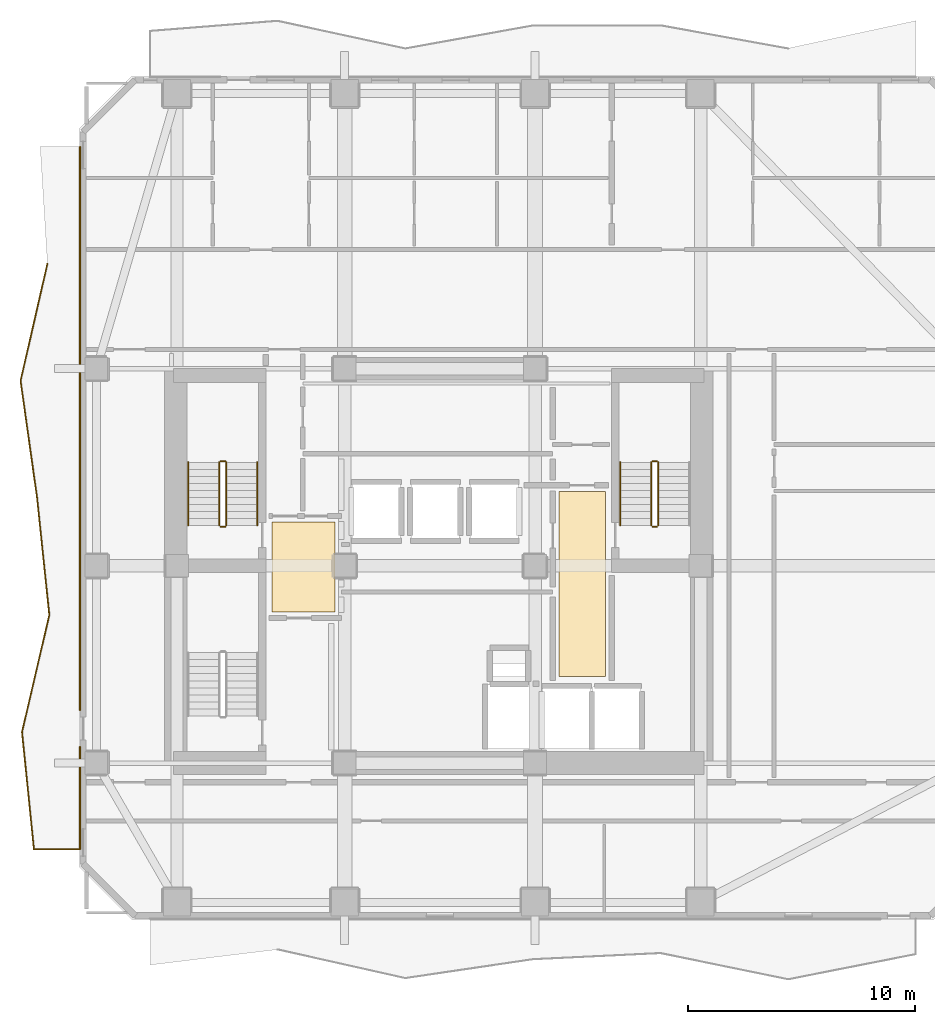
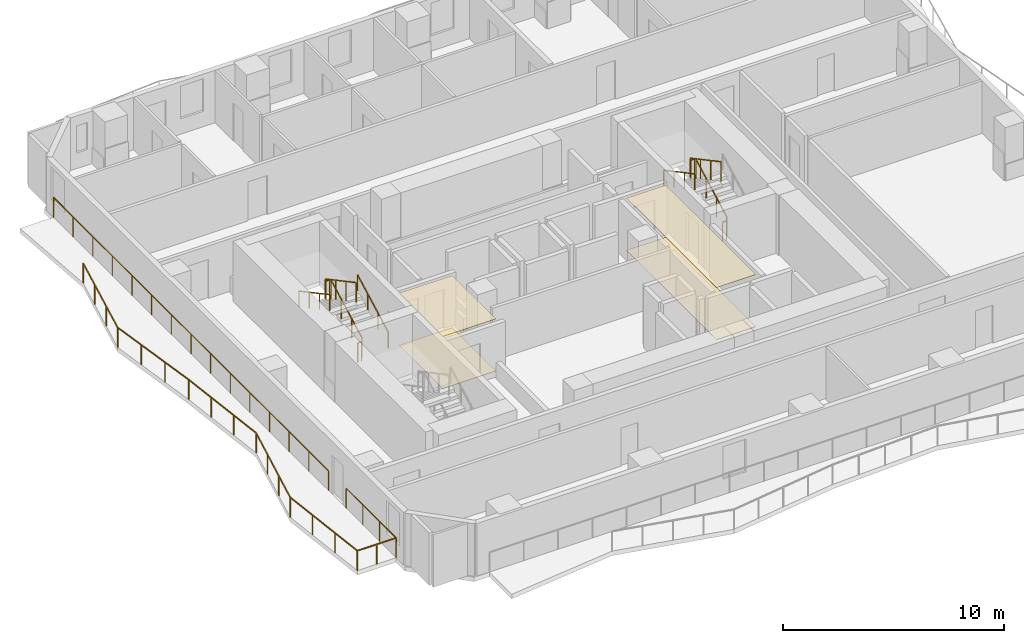
# One storey, part 8 of 9: 13 railings, 4 coverings.
"""IFC4 building model written with IfcOpenShell, lengths in metres."""

from ifc_helpers import new_model, si_unit, direction, frame, origin, origin_2d, place, context, subcontext, project, spatial, polyline, rectangle, outline, extrude, material, layer, layer_set, type_object, element, save


model = new_model("IFC4")

# Units and contexts
model_context = context("Model", 3, precision=1e-05, world=origin(), true_north=direction((0.0, 1.0)))
body_context = subcontext(model_context, "Body", "Model", "MODEL_VIEW")
ifc_project = project(units=[si_unit("LENGTHUNIT", "METRE"), si_unit("AREAUNIT", "SQUARE_METRE"), si_unit("VOLUMEUNIT", "CUBIC_METRE"), si_unit("PLANEANGLEUNIT", "RADIAN"), si_unit("MASSUNIT", "GRAM", prefix="KILO")], contexts=[model_context])

# Site, building, storey
site_placement = place(None, origin())
site = spatial("IfcSite", under=ifc_project, at=site_placement, CompositionType="ELEMENT")
building_placement = place(site_placement, origin())
building = spatial("IfcBuilding", under=site, at=building_placement, Name="Solanera Arch Residences", CompositionType="ELEMENT")
storey_placement = place(building_placement, frame((0.0, 0.0, 162.52001953125)))
storey = spatial("IfcBuildingStorey", under=building, at=storey_placement, Name="L47", CompositionType="ELEMENT", Elevation=162.52001953125)

# Railings
ifc_material_1 = material(Name="Steel S355 (ASTM A992 / A572 Grade 50)", Category="steel")
railing_type_1 = type_object("IfcRailingType", Name="Balustrade Railing BL-1100", PredefinedType="BALUSTRADE", material=ifc_material_1)
railing_1_placement = place(storey_placement, frame((7.680908203125, 44.032958984375, 0.0)))
element("IfcRailing", 1, at=railing_1_placement, inside=storey, type_object=railing_type_1, Name="L47 W Balcony Balustrade 1", PredefinedType="BALUSTRADE", context=body_context, shape_type="SweptSolid", body=[
    extrude(rectangle(XDim=0.048095703125, YDim=0.048095703125, at=origin_2d()), frame((0.0, 0.0, 1.09619140625), z_axis=(-0.223368861917, -0.974733990136, 0.0), x_axis=(0.974733990136, -0.223368861917, 0.0)), (0.0, 0.0, 1.0), 5.2998046875),
    extrude(rectangle(XDim=0.048095703125, YDim=0.048095703125, at=origin_2d()), frame((-1.183837890625, -5.166015625, 1.09619140625), z_axis=(0.139521507278, -0.990219040923, 0.0), x_axis=(0.990219040923, 0.139521507278, 0.0)), (0.0, 0.0, 1.0), 5.218017578125),
    extrude(rectangle(XDim=0.048095703125, YDim=0.048095703125, at=origin_2d()), frame((-0.455810546875, -10.3330078125, 1.09619140625), z_axis=(0.103904389466, -0.994587290211, 0.0), x_axis=(0.994587290211, 0.103904389466, 0.0)), (0.0, 0.0, 1.0), 5.195068359375),
    extrude(rectangle(XDim=0.048095703125, YDim=0.048095703125, at=origin_2d()), frame((0.083984375, -15.5, 1.09619140625), z_axis=(-0.227127770196, -0.973864968055, 0.0), x_axis=(0.973864968055, -0.227127770196, 0.0)), (0.0, 0.0, 1.0), 5.3046875),
    extrude(rectangle(XDim=0.048095703125, YDim=0.048095703125, at=origin_2d()), frame((-1.120849609375, -20.666015625, 1.09619140625), z_axis=(0.101253536628, -0.994860654223, 0.0), x_axis=(0.994860654223, 0.101253536628, 0.0)), (0.0, 0.0, 1.0), 5.193603515625),
    extrude(rectangle(XDim=0.048095703125, YDim=0.048095703125, at=origin_2d()), frame((-0.594970703125, -25.8330078125, 1.09619140625), z_axis=(1.0, 0.0, 0.0), x_axis=(0.0, 1.0, 0.0)), (0.0, 0.0, 1.0), 2.0341796875),
    extrude(rectangle(XDim=0.048095703125, YDim=0.048095703125, at=origin_2d()), frame((1.439208984375, -25.8330078125, 1.09619140625), z_axis=(0.0, 1.0, 0.0), x_axis=(-1.0, 0.0, 0.0)), (0.0, 0.0, 1.0), 4.52197265625),
    extrude(rectangle(XDim=0.0419921875, YDim=0.0419921875, at=origin_2d()), origin(), (0.0, 0.0, 1.0), 1.072021484375),
    extrude(rectangle(XDim=0.0419921875, YDim=0.0419921875, at=origin_2d()), frame((-0.39453125, -1.721923828125, 0.0)), (0.0, 0.0, 1.0), 1.072021484375),
    extrude(rectangle(XDim=0.0419921875, YDim=0.0419921875, at=origin_2d()), frame((-0.789306640625, -3.444091796875, 0.0)), (0.0, 0.0, 1.0), 1.072021484375),
    extrude(rectangle(XDim=0.0419921875, YDim=0.0419921875, at=origin_2d()), frame((-1.183837890625, -5.166015625, 0.0)), (0.0, 0.0, 1.0), 1.072021484375),
    extrude(rectangle(XDim=0.0419921875, YDim=0.0419921875, at=origin_2d()), frame((-0.941162109375, -6.888427734375, 0.0)), (0.0, 0.0, 1.0), 1.072021484375),
    extrude(rectangle(XDim=0.0419921875, YDim=0.0419921875, at=origin_2d()), frame((-0.698486328125, -8.610595703125, 0.0)), (0.0, 0.0, 1.0), 1.072021484375),
    extrude(rectangle(XDim=0.0419921875, YDim=0.0419921875, at=origin_2d()), frame((-0.455810546875, -10.3330078125, 0.0)), (0.0, 0.0, 1.0), 1.072021484375),
    extrude(rectangle(XDim=0.0419921875, YDim=0.0419921875, at=origin_2d()), frame((-0.27587890625, -12.055419921875, 0.0)), (0.0, 0.0, 1.0), 1.072021484375),
    extrude(rectangle(XDim=0.0419921875, YDim=0.0419921875, at=origin_2d()), frame((-0.095947265625, -13.777587890625, 0.0)), (0.0, 0.0, 1.0), 1.072021484375),
    extrude(rectangle(XDim=0.0419921875, YDim=0.0419921875, at=origin_2d()), frame((0.083984375, -15.5, 0.0)), (0.0, 0.0, 1.0), 1.072021484375),
    extrude(rectangle(XDim=0.0419921875, YDim=0.0419921875, at=origin_2d()), frame((-0.317626953125, -17.221923828125, 0.0)), (0.0, 0.0, 1.0), 1.072021484375),
    extrude(rectangle(XDim=0.0419921875, YDim=0.0419921875, at=origin_2d()), frame((-0.71923828125, -18.944091796875, 0.0)), (0.0, 0.0, 1.0), 1.072021484375),
    extrude(rectangle(XDim=0.0419921875, YDim=0.0419921875, at=origin_2d()), frame((-1.120849609375, -20.666015625, 0.0)), (0.0, 0.0, 1.0), 1.072021484375),
    extrude(rectangle(XDim=0.0419921875, YDim=0.0419921875, at=origin_2d()), frame((-0.945556640625, -22.388427734375, 0.0)), (0.0, 0.0, 1.0), 1.072021484375),
    extrude(rectangle(XDim=0.0419921875, YDim=0.0419921875, at=origin_2d()), frame((-0.770263671875, -24.110595703125, 0.0)), (0.0, 0.0, 1.0), 1.072021484375),
    extrude(rectangle(XDim=0.0419921875, YDim=0.0419921875, at=origin_2d()), frame((-0.594970703125, -25.8330078125, 0.0)), (0.0, 0.0, 1.0), 1.072021484375),
    extrude(rectangle(XDim=0.0419921875, YDim=0.0419921875, at=origin_2d()), frame((0.422119140625, -25.8330078125, 0.0)), (0.0, 0.0, 1.0), 1.072021484375),
    extrude(rectangle(XDim=0.0419921875, YDim=0.0419921875, at=origin_2d()), frame((1.439208984375, -25.8330078125, 0.0)), (0.0, 0.0, 1.0), 1.072021484375),
    extrude(rectangle(XDim=0.0419921875, YDim=0.0419921875, at=origin_2d()), frame((1.439208984375, -24.32568359375, 0.0)), (0.0, 0.0, 1.0), 1.072021484375),
    extrude(rectangle(XDim=0.0419921875, YDim=0.0419921875, at=origin_2d()), frame((1.439208984375, -22.818359375, 0.0)), (0.0, 0.0, 1.0), 1.072021484375),
    extrude(rectangle(XDim=0.0419921875, YDim=0.0419921875, at=origin_2d()), frame((1.439208984375, -21.31103515625, 0.0)), (0.0, 0.0, 1.0), 1.072021484375),
])
railing_2_placement = place(storey_placement, frame((9.1201171875, 24.322021484375, 0.0)))
element("IfcRailing", 2, at=railing_2_placement, inside=storey, type_object=railing_type_1, Name="L47 W Balcony Balustrade 2", PredefinedType="BALUSTRADE", context=body_context, shape_type="SweptSolid", body=[
    extrude(rectangle(XDim=0.048095703125, YDim=0.048095703125, at=origin_2d()), frame((0.0, 0.0, 1.09619140625), z_axis=(0.0, 1.0, 0.0), x_axis=(-1.0, 0.0, 0.0)), (0.0, 0.0, 1.0), 24.8779296875),
    extrude(rectangle(XDim=0.0419921875, YDim=0.0419921875, at=origin_2d()), origin(), (0.0, 0.0, 1.0), 1.072021484375),
    extrude(rectangle(XDim=0.0419921875, YDim=0.0419921875, at=origin_2d()), frame((0.0, 1.777099609375, 0.0)), (0.0, 0.0, 1.0), 1.072021484375),
    extrude(rectangle(XDim=0.0419921875, YDim=0.0419921875, at=origin_2d()), frame((0.0, 3.553955078125, 0.0)), (0.0, 0.0, 1.0), 1.072021484375),
    extrude(rectangle(XDim=0.0419921875, YDim=0.0419921875, at=origin_2d()), frame((0.0, 5.3310546875, 0.0)), (0.0, 0.0, 1.0), 1.072021484375),
    extrude(rectangle(XDim=0.0419921875, YDim=0.0419921875, at=origin_2d()), frame((0.0, 7.10791015625, 0.0)), (0.0, 0.0, 1.0), 1.072021484375),
    extrude(rectangle(XDim=0.0419921875, YDim=0.0419921875, at=origin_2d()), frame((0.0, 8.885009765625, 0.0)), (0.0, 0.0, 1.0), 1.072021484375),
    extrude(rectangle(XDim=0.0419921875, YDim=0.0419921875, at=origin_2d()), frame((0.0, 10.661865234375, 0.0)), (0.0, 0.0, 1.0), 1.072021484375),
    extrude(rectangle(XDim=0.0419921875, YDim=0.0419921875, at=origin_2d()), frame((0.0, 12.43896484375, 0.0)), (0.0, 0.0, 1.0), 1.072021484375),
    extrude(rectangle(XDim=0.0419921875, YDim=0.0419921875, at=origin_2d()), frame((0.0, 14.216064453125, 0.0)), (0.0, 0.0, 1.0), 1.072021484375),
    extrude(rectangle(XDim=0.0419921875, YDim=0.0419921875, at=origin_2d()), frame((0.0, 15.992919921875, 0.0)), (0.0, 0.0, 1.0), 1.072021484375),
    extrude(rectangle(XDim=0.0419921875, YDim=0.0419921875, at=origin_2d()), frame((0.0, 17.77001953125, 0.0)), (0.0, 0.0, 1.0), 1.072021484375),
    extrude(rectangle(XDim=0.0419921875, YDim=0.0419921875, at=origin_2d()), frame((0.0, 19.546875, 0.0)), (0.0, 0.0, 1.0), 1.072021484375),
    extrude(rectangle(XDim=0.0419921875, YDim=0.0419921875, at=origin_2d()), frame((0.0, 21.323974609375, 0.0)), (0.0, 0.0, 1.0), 1.072021484375),
    extrude(rectangle(XDim=0.0419921875, YDim=0.0419921875, at=origin_2d()), frame((0.0, 23.100830078125, 0.0)), (0.0, 0.0, 1.0), 1.072021484375),
    extrude(rectangle(XDim=0.0419921875, YDim=0.0419921875, at=origin_2d()), frame((0.0, 24.8779296875, 0.0)), (0.0, 0.0, 1.0), 1.072021484375),
])

# Coverings
ifc_material_2 = material(Name="Porcelain Acoustic Floor Tile", Category="ceramic")
ifc_layer_1 = layer(ifc_material_2, 0.02001953125)
ifc_layer_set_1 = layer_set([ifc_layer_1], Name="Porcelain Acoustic Floor Tile")
covering_type_1 = type_object("IfcCoveringType", Name="Porcelain Acoustic Floor Finish FLR-20", PredefinedType="FLOORING", material=ifc_layer_set_1)
covering_1_placement = place(storey_placement, origin())
element("IfcCovering", 3, at=covering_1_placement, inside=storey, type_object=covering_type_1, Name="L47-FFL-W Porcelain Floor Finish", PredefinedType="FLOORING", context=body_context, shape_type="SweptSolid", body=[
    extrude(outline(polyline([(20.375, 28.675048828125), (17.594970703125, 28.675048828125), (17.594970703125, 32.625), (20.375, 32.625), (20.375, 28.675048828125)])), origin(), (0.0, 0.0, 1.0), 0.02001953125),
])
covering_2_placement = place(storey_placement, origin())
element("IfcCovering", 4, at=covering_2_placement, inside=storey, type_object=covering_type_1, Name="L47-FFL-E Porcelain Floor Finish", PredefinedType="FLOORING", context=body_context, shape_type="SweptSolid", body=[
    extrude(outline(polyline([(32.304931640625, 25.824951171875), (30.25, 25.824951171875), (30.25, 33.97509765625), (32.304931640625, 33.97509765625), (32.304931640625, 25.824951171875)])), origin(), (0.0, 0.0, 1.0), 0.02001953125),
])

# Railings
ifc_material_3 = material(Name="Steel S355 (ASTM A992 / A572 Grade 50)", Category="steel")
railing_type_2 = type_object("IfcRailingType", Name="Stair Guardrail GR-1100", PredefinedType="GUARDRAIL", material=ifc_material_3)
railing_3_placement = place(storey_placement, frame((15.570068359375, 32.47998046875, 0.15087890625)))
element("IfcRailing", 5, at=railing_3_placement, inside=storey, type_object=railing_type_2, Name="L47 ST-T1 stair guard 1", PredefinedType="GUARDRAIL", context=body_context, shape_type="SweptSolid", body=[
    extrude(rectangle(XDim=0.048095703125, YDim=0.048095703125, at=origin_2d()), frame((0.0, 0.0, 1.076171875), z_axis=(0.0, 0.881548766853, 0.472092969298), x_axis=(-1.0, 0.0, 0.0)), (0.0, 0.0, 1.0), 3.1650390625),
    extrude(rectangle(XDim=0.0419921875, YDim=0.0419921875, at=origin_2d()), origin(), (0.0, 0.0, 1.0), 1.052001953125),
    extrude(rectangle(XDim=0.0419921875, YDim=0.0419921875, at=origin_2d()), frame((0.0, 0.929931640625, 0.498046875)), (0.0, 0.0, 1.0), 1.052001953125),
    extrude(rectangle(XDim=0.0419921875, YDim=0.0419921875, at=origin_2d()), frame((0.0, 1.860107421875, 0.99609375)), (0.0, 0.0, 1.0), 1.052001953125),
    extrude(rectangle(XDim=0.0419921875, YDim=0.0419921875, at=origin_2d()), frame((0.0, 2.7900390625, 1.494140625)), (0.0, 0.0, 1.0), 1.052001953125),
])
railing_4_placement = place(storey_placement, frame((15.52001953125, 35.320068359375, 1.64501953125)))
element("IfcRailing", 6, at=railing_4_placement, inside=storey, type_object=railing_type_2, Name="L47 ST-T1 stair guard 2", PredefinedType="GUARDRAIL", context=body_context, shape_type="SweptSolid", body=[
    extrude(rectangle(XDim=0.048095703125, YDim=0.048095703125, at=origin_2d()), frame((0.0, 0.0, 1.076171875), z_axis=(-1.0, 0.0, 0.0), x_axis=(0.0, -1.0, 0.0)), (0.0, 0.0, 1.0), 0.199951171875),
    extrude(rectangle(XDim=0.0419921875, YDim=0.0419921875, at=origin_2d()), origin(), (0.0, 0.0, 1.0), 1.052001953125),
    extrude(rectangle(XDim=0.0419921875, YDim=0.0419921875, at=origin_2d()), frame((-0.199951171875, 0.0, 0.0)), (0.0, 0.0, 1.0), 1.052001953125),
])
railing_5_placement = place(storey_placement, frame((15.27001953125, 35.27001953125, 1.81103515625)))
element("IfcRailing", 7, at=railing_5_placement, inside=storey, type_object=railing_type_2, Name="L47 ST-T1 stair guard 3", PredefinedType="GUARDRAIL", context=body_context, shape_type="SweptSolid", body=[
    extrude(rectangle(XDim=0.048095703125, YDim=0.048095703125, at=origin_2d()), frame((0.0, 0.0, 1.076171875), z_axis=(0.0, -0.881580869306, 0.472033018838), x_axis=(1.0, 0.0, 0.0)), (0.0, 0.0, 1.0), 3.164794921875),
    extrude(rectangle(XDim=0.0419921875, YDim=0.0419921875, at=origin_2d()), origin(), (0.0, 0.0, 1.0), 1.052001953125),
    extrude(rectangle(XDim=0.0419921875, YDim=0.0419921875, at=origin_2d()), frame((0.0, -0.929931640625, 0.498046875)), (0.0, 0.0, 1.0), 1.052001953125),
    extrude(rectangle(XDim=0.0419921875, YDim=0.0419921875, at=origin_2d()), frame((0.0, -1.860107421875, 0.995849609375)), (0.0, 0.0, 1.0), 1.052001953125),
    extrude(rectangle(XDim=0.0419921875, YDim=0.0419921875, at=origin_2d()), frame((0.0, -2.7900390625, 1.493896484375)), (0.0, 0.0, 1.0), 1.052001953125),
])
railing_6_placement = place(storey_placement, frame((15.52001953125, 32.429931640625, -0.01513671875)))
element("IfcRailing", 8, at=railing_6_placement, inside=storey, type_object=railing_type_2, Name="L47 ST-T1 stair guard 4", PredefinedType="GUARDRAIL", context=body_context, shape_type="SweptSolid", body=[
    extrude(rectangle(XDim=0.048095703125, YDim=0.048095703125, at=origin_2d()), frame((0.0, 0.0, 1.076171875), z_axis=(-1.0, 0.0, 0.0), x_axis=(0.0, -1.0, 0.0)), (0.0, 0.0, 1.0), 0.199951171875),
    extrude(rectangle(XDim=0.0419921875, YDim=0.0419921875, at=origin_2d()), origin(), (0.0, 0.0, 1.0), 1.052001953125),
    extrude(rectangle(XDim=0.0419921875, YDim=0.0419921875, at=origin_2d()), frame((-0.199951171875, 0.0, 0.0)), (0.0, 0.0, 1.0), 1.052001953125),
])
railing_7_placement = place(storey_placement, frame((34.6298828125, 32.47998046875, 0.15087890625)))
element("IfcRailing", 9, at=railing_7_placement, inside=storey, type_object=railing_type_2, Name="L47 ST-T2 stair guard 1", PredefinedType="GUARDRAIL", context=body_context, shape_type="SweptSolid", body=[
    extrude(rectangle(XDim=0.048095703125, YDim=0.048095703125, at=origin_2d()), frame((0.0, 0.0, 1.076171875), z_axis=(0.0, 0.881548766853, 0.472092969298), x_axis=(-1.0, 0.0, 0.0)), (0.0, 0.0, 1.0), 3.1650390625),
    extrude(rectangle(XDim=0.0419921875, YDim=0.0419921875, at=origin_2d()), origin(), (0.0, 0.0, 1.0), 1.052001953125),
    extrude(rectangle(XDim=0.0419921875, YDim=0.0419921875, at=origin_2d()), frame((0.0, 0.929931640625, 0.498046875)), (0.0, 0.0, 1.0), 1.052001953125),
    extrude(rectangle(XDim=0.0419921875, YDim=0.0419921875, at=origin_2d()), frame((0.0, 1.860107421875, 0.99609375)), (0.0, 0.0, 1.0), 1.052001953125),
    extrude(rectangle(XDim=0.0419921875, YDim=0.0419921875, at=origin_2d()), frame((0.0, 2.7900390625, 1.494140625)), (0.0, 0.0, 1.0), 1.052001953125),
])
railing_8_placement = place(storey_placement, frame((34.580078125, 35.320068359375, 1.64501953125)))
element("IfcRailing", 10, at=railing_8_placement, inside=storey, type_object=railing_type_2, Name="L47 ST-T2 stair guard 2", PredefinedType="GUARDRAIL", context=body_context, shape_type="SweptSolid", body=[
    extrude(rectangle(XDim=0.048095703125, YDim=0.048095703125, at=origin_2d()), frame((0.0, 0.0, 1.076171875), z_axis=(-1.0, 0.0, 0.0), x_axis=(0.0, -1.0, 0.0)), (0.0, 0.0, 1.0), 0.2001953125),
    extrude(rectangle(XDim=0.0419921875, YDim=0.0419921875, at=origin_2d()), origin(), (0.0, 0.0, 1.0), 1.052001953125),
    extrude(rectangle(XDim=0.0419921875, YDim=0.0419921875, at=origin_2d()), frame((-0.2001953125, 0.0, 0.0)), (0.0, 0.0, 1.0), 1.052001953125),
])
railing_9_placement = place(storey_placement, frame((34.330078125, 35.27001953125, 1.81103515625)))
element("IfcRailing", 11, at=railing_9_placement, inside=storey, type_object=railing_type_2, Name="L47 ST-T2 stair guard 3", PredefinedType="GUARDRAIL", context=body_context, shape_type="SweptSolid", body=[
    extrude(rectangle(XDim=0.048095703125, YDim=0.048095703125, at=origin_2d()), frame((0.0, 0.0, 1.076171875), z_axis=(0.0, -0.881580869306, 0.472033018838), x_axis=(1.0, 0.0, 0.0)), (0.0, 0.0, 1.0), 3.164794921875),
    extrude(rectangle(XDim=0.0419921875, YDim=0.0419921875, at=origin_2d()), origin(), (0.0, 0.0, 1.0), 1.052001953125),
    extrude(rectangle(XDim=0.0419921875, YDim=0.0419921875, at=origin_2d()), frame((0.0, -0.929931640625, 0.498046875)), (0.0, 0.0, 1.0), 1.052001953125),
    extrude(rectangle(XDim=0.0419921875, YDim=0.0419921875, at=origin_2d()), frame((0.0, -1.860107421875, 0.995849609375)), (0.0, 0.0, 1.0), 1.052001953125),
    extrude(rectangle(XDim=0.0419921875, YDim=0.0419921875, at=origin_2d()), frame((0.0, -2.7900390625, 1.493896484375)), (0.0, 0.0, 1.0), 1.052001953125),
])
railing_10_placement = place(storey_placement, frame((34.580078125, 32.429931640625, -0.01513671875)))
element("IfcRailing", 12, at=railing_10_placement, inside=storey, type_object=railing_type_2, Name="L47 ST-T2 stair guard 4", PredefinedType="GUARDRAIL", context=body_context, shape_type="SweptSolid", body=[
    extrude(rectangle(XDim=0.048095703125, YDim=0.048095703125, at=origin_2d()), frame((0.0, 0.0, 1.076171875), z_axis=(-1.0, 0.0, 0.0), x_axis=(0.0, -1.0, 0.0)), (0.0, 0.0, 1.0), 0.2001953125),
    extrude(rectangle(XDim=0.0419921875, YDim=0.0419921875, at=origin_2d()), origin(), (0.0, 0.0, 1.0), 1.052001953125),
    extrude(rectangle(XDim=0.0419921875, YDim=0.0419921875, at=origin_2d()), frame((-0.2001953125, 0.0, 0.0)), (0.0, 0.0, 1.0), 1.052001953125),
])
ifc_material_4 = material(Name="Steel S355 (ASTM A992 / A572 Grade 50)", Category="steel")
railing_type_3 = type_object("IfcRailingType", Name="Stair Wall Handrail HR-920", PredefinedType="HANDRAIL", material=ifc_material_4)
railing_11_placement = place(storey_placement, frame((16.949951171875, 32.47998046875, 0.166015625)))
element("IfcRailing", 13, at=railing_11_placement, inside=storey, type_object=railing_type_3, Name="L47 ST-T1 stair handrail 1", PredefinedType="HANDRAIL", context=body_context, shape_type="SweptSolid", body=[
    extrude(rectangle(XDim=0.048095703125, YDim=0.048095703125, at=origin_2d()), frame((0.0, 0.0, 0.8759765625), z_axis=(0.0, 0.881580869306, 0.472033018838), x_axis=(-1.0, 0.0, 0.0)), (0.0, 0.0, 1.0), 3.164794921875),
    extrude(rectangle(XDim=0.0419921875, YDim=0.0419921875, at=origin_2d()), origin(), (0.0, 0.0, 1.0), 0.851806640625),
    extrude(rectangle(XDim=0.0419921875, YDim=0.0419921875, at=origin_2d()), frame((0.0, 0.929931640625, 0.498046875)), (0.0, 0.0, 1.0), 0.851806640625),
    extrude(rectangle(XDim=0.0419921875, YDim=0.0419921875, at=origin_2d()), frame((0.0, 1.860107421875, 0.995849609375)), (0.0, 0.0, 1.0), 0.851806640625),
    extrude(rectangle(XDim=0.0419921875, YDim=0.0419921875, at=origin_2d()), frame((0.0, 2.7900390625, 1.493896484375)), (0.0, 0.0, 1.0), 0.851806640625),
])
for number, where, name in (
    (14, (13.889892578125, 35.27001953125, 1.825927734375), "L47 ST-T1 stair handrail 2"),
    (15, (32.949951171875, 35.27001953125, 1.825927734375), "L47 ST-T2 stair handrail 2"),
):
    element("IfcRailing", number, at=place(storey_placement, frame(where)), inside=storey, type_object=railing_type_3, Name=name, PredefinedType="HANDRAIL", context=body_context, shape_type="SweptSolid", body=[
        extrude(rectangle(XDim=0.048095703125, YDim=0.048095703125, at=origin_2d()), frame((0.0, 0.0, 0.8759765625), z_axis=(0.0, -0.881548766853, 0.472092969298), x_axis=(1.0, 0.0, 0.0)), (0.0, 0.0, 1.0), 3.1650390625),
        extrude(rectangle(XDim=0.0419921875, YDim=0.0419921875, at=origin_2d()), origin(), (0.0, 0.0, 1.0), 0.851806640625),
        extrude(rectangle(XDim=0.0419921875, YDim=0.0419921875, at=origin_2d()), frame((0.0, -0.929931640625, 0.498046875)), (0.0, 0.0, 1.0), 0.851806640625),
        extrude(rectangle(XDim=0.0419921875, YDim=0.0419921875, at=origin_2d()), frame((0.0, -1.860107421875, 0.99609375)), (0.0, 0.0, 1.0), 0.851806640625),
        extrude(rectangle(XDim=0.0419921875, YDim=0.0419921875, at=origin_2d()), frame((0.0, -2.7900390625, 1.494140625)), (0.0, 0.0, 1.0), 0.851806640625),
    ])

# Coverings
ifc_material_5 = material(Name="Mineral Fibre Acoustic Ceiling Board", Category="gypsum")
ifc_layer_2 = layer(ifc_material_5, 0.02490234375)
ifc_layer_set_2 = layer_set([ifc_layer_2], Name="Mineral Fibre Acoustic Ceiling Board")
covering_type_2 = type_object("IfcCoveringType", Name="Suspended Acoustic Ceiling Board CLG-25", PredefinedType="CEILING", material=ifc_layer_set_2)
covering_3_placement = place(storey_placement, frame((0.0, 0.0, 2.875)))
element("IfcCovering", 16, at=covering_3_placement, inside=storey, type_object=covering_type_2, Name="L47-FFL-W Acoustic Ceiling", PredefinedType="CEILING", context=body_context, shape_type="SweptSolid", body=[
    extrude(outline(polyline([(20.375, 28.675048828125), (17.594970703125, 28.675048828125), (17.594970703125, 32.625), (20.375, 32.625), (20.375, 28.675048828125)])), origin(), (0.0, 0.0, 1.0), 0.02490234375),
])
covering_4_placement = place(storey_placement, frame((0.0, 0.0, 2.875)))
element("IfcCovering", 17, at=covering_4_placement, inside=storey, type_object=covering_type_2, Name="L47-FFL-E Acoustic Ceiling", PredefinedType="CEILING", context=body_context, shape_type="SweptSolid", body=[
    extrude(outline(polyline([(32.304931640625, 25.824951171875), (30.25, 25.824951171875), (30.25, 33.97509765625), (32.304931640625, 33.97509765625), (32.304931640625, 25.824951171875)])), origin(), (0.0, 0.0, 1.0), 0.02490234375),
])

save(model, "model.ifc")
